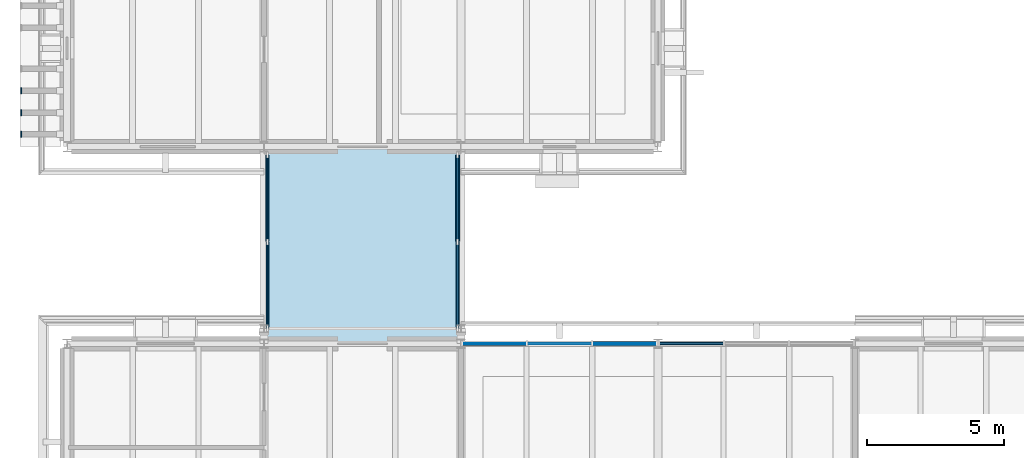
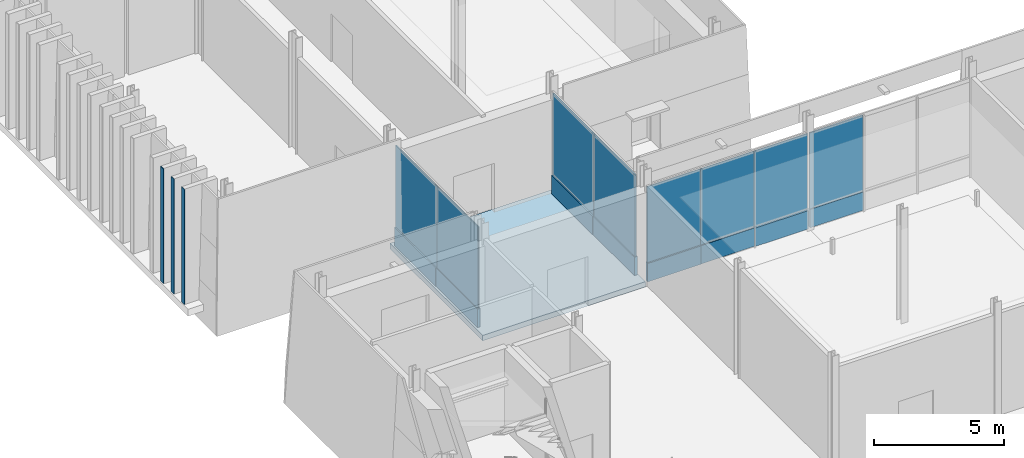
# One storey, part 46 of 120: 19 plates, 1 slab, 4 elements without a shape of their own.
"""IFC4 building model written with IfcOpenShell, lengths in metres."""

from ifc_helpers import new_model, si_unit, direction, frame, origin, origin_2d, place, context, subcontext, project, spatial, polyline, rectangle, outline, extrude, material, layer, layer_set, type_object, element, aggregate, save


model = new_model("IFC4")

# Units and contexts
model_context = context("Model", 3, precision=1e-05, world=origin(), true_north=direction((0.0, 1.0)))
body_context = subcontext(model_context, "Body", "Model", "MODEL_VIEW")
ifc_project = project(units=[si_unit("LENGTHUNIT", "METRE"), si_unit("AREAUNIT", "SQUARE_METRE"), si_unit("VOLUMEUNIT", "CUBIC_METRE"), si_unit("PLANEANGLEUNIT", "RADIAN"), si_unit("MASSUNIT", "GRAM", prefix="KILO")], contexts=[model_context])

# Site, building, storey
site_placement = place(None, origin())
site = spatial("IfcSite", under=ifc_project, at=site_placement, CompositionType="ELEMENT")
building_placement = place(site_placement, origin())
building = spatial("IfcBuilding", under=site, at=building_placement, Name="Narikvali Park Central Library", CompositionType="ELEMENT")
storey_placement = place(building_placement, origin())
storey = spatial("IfcBuildingStorey", under=building, at=storey_placement, Name="L00", CompositionType="ELEMENT", Elevation=0.0)

# Slab
ifc_material_1 = material(Name="Concrete C40/50", Category="concrete")
ifc_layer_1 = layer(ifc_material_1, 0.25, Name="Concrete C40/50")
ifc_layer_set_1 = layer_set([ifc_layer_1], Name="Concrete C40/50")
slab_type = type_object("IfcSlabType", Name="Bridge Sliding Deck Slab 250", PredefinedType="FLOOR", material=ifc_layer_set_1)
slab_placement = place(storey_placement, frame((0.0, 0.0, -0.25)))
element("IfcSlab", 1, at=slab_placement, inside=storey, type_object=slab_type, Name="BRG-5 L00 Covered Bridge Deck", PredefinedType="FLOOR", context=body_context, shape_type="SweptSolid", body=[
    extrude(outline(polyline([(7.199951171875, 21.639892578125), (14.39990234375, 21.639892578125), (14.39990234375, 28.760009765625), (7.199951171875, 28.760009765625), (7.199951171875, 21.639892578125)])), origin(), (0.0, 0.0, 1.0), 0.25),
])

# Curtain wall, plate
ifc_material_2 = material(Name="Anodised Bronze Aluminium", Category="aluminium")
ifc_layer_2 = layer(ifc_material_2, 0.219970703125, Name="Anodised Bronze Aluminium")
ifc_layer_set_2 = layer_set([ifc_layer_2], Name="Anodised Bronze Aluminium")
curtain_wall_type_1 = type_object("IfcCurtainWallType", Name="Atrium Tall Curtain Wall System", PredefinedType="NOTDEFINED", material=ifc_layer_set_2)
curtain_wall_1_placement = place(storey_placement, origin())
curtain_wall_1 = element("IfcCurtainWall", 2, at=curtain_wall_1_placement, inside=storey, type_object=curtain_wall_type_1, Name="Atrium Tall Curtain Wall System CW-V2-L00-N-04", PredefinedType="NOTDEFINED")
ifc_material_3 = material(Name="Anodised Bronze Acoustic Spandrel Cassette")
ifc_layer_3 = layer(ifc_material_3, 0.1650390625, Name="Anodised Bronze Acoustic Spandrel Cassette")
ifc_layer_set_3 = layer_set([ifc_layer_3], Name="Anodised Bronze Acoustic Spandrel Cassette")
plate_type_1 = type_object("IfcPlateType", Name="Curtain Wall Acoustic Plenum Louvre Cassette 165", PredefinedType="CURTAIN_PANEL", material=ifc_layer_set_3)
plate_1_placement = place(storey_placement, frame((20.374755859375, 21.60009765625, 0.03515625), z_axis=(0.0, 0.0, 1.0), x_axis=(-1.0, 0.0, 0.0)))
plate_1 = element("IfcPlate", 3, at=plate_1_placement, type_object=plate_type_1, Name="CW-V2-L00-N-04 Panel 00-0", PredefinedType="CURTAIN_PANEL", context=body_context, shape_type="SweptSolid", body=[
    extrude(rectangle(XDim=2.36474609375, YDim=0.1650390625, at=origin_2d()), origin(), (0.0, 0.0, 1.0), 0.860107421875),
])

ifc_layer_4 = layer(ifc_material_2, 0.219970703125, Name="Anodised Bronze Aluminium")
ifc_layer_set_4 = layer_set([ifc_layer_4], Name="Anodised Bronze Aluminium")
curtain_wall_type_2 = type_object("IfcCurtainWallType", Name="Bridge Covered Passage Glazing System", PredefinedType="NOTDEFINED", material=ifc_layer_set_4)
curtain_wall_2_placement = place(storey_placement, origin())
curtain_wall_2 = element("IfcCurtainWall", 4, at=curtain_wall_2_placement, inside=storey, type_object=curtain_wall_type_2, Name="Bridge Covered Passage Glazing System CW-BRG-5-L00-E1", PredefinedType="NOTDEFINED")
plate_2_placement = place(storey_placement, frame((14.280029296875, 26.91259765625, 0.03515625), z_axis=(0.0, 0.0, 1.0), x_axis=(0.0, 1.0, 0.0)))
plate_2 = element("IfcPlate", 5, at=plate_2_placement, type_object=plate_type_1, Name="CW-BRG-5-L00-E1 Panel 01-0", PredefinedType="CURTAIN_PANEL", context=body_context, shape_type="SweptSolid", body=[
    extrude(rectangle(XDim=3.1650390625, YDim=0.1650390625, at=origin_2d()), origin(), (0.0, 0.0, 1.0), 0.860107421875),
])

curtain_wall_3_placement = place(storey_placement, origin())
curtain_wall_3 = element("IfcCurtainWall", 6, at=curtain_wall_3_placement, inside=storey, type_object=curtain_wall_type_1, Name="Atrium Tall Curtain Wall System CW-V2-L00-N-03", PredefinedType="NOTDEFINED")
ifc_material_4 = material(Name="Heavy Acoustic Laminated Clerestory Glazing", Category="glass")
ifc_layer_5 = layer(ifc_material_4, 0.06396484375, Name="Heavy Acoustic Laminated Clerestory Glazing")
ifc_layer_set_5 = layer_set([ifc_layer_5], Name="Heavy Acoustic Laminated Clerestory Glazing")
plate_type_2 = type_object("IfcPlateType", Name="Curtain Wall Clerestory Laminated Acoustic Glass 64", PredefinedType="CURTAIN_PANEL", material=ifc_layer_set_5)
plate_3_placement = place(storey_placement, frame((22.8251953125, 21.60009765625, 0.905029296875), z_axis=(0.0, 0.0, 1.0), x_axis=(-1.0, 0.0, 0.0)))
plate_3 = element("IfcPlate", 7, at=plate_3_placement, type_object=plate_type_2, Name="CW-V2-L00-N-03 Panel 02-1", PredefinedType="CURTAIN_PANEL", context=body_context, shape_type="SweptSolid", body=[
    extrude(rectangle(XDim=2.36474609375, YDim=0.06396484375, at=origin_2d()), origin(), (0.0, 0.0, 1.0), 3.56005859375),
])

# Plate
plate_4_placement = place(storey_placement, frame((14.280029296875, 23.737548828125, 0.905029296875), z_axis=(0.0, 0.0, 1.0), x_axis=(0.0, 1.0, 0.0)))
plate_4 = element("IfcPlate", 8, at=plate_4_placement, type_object=plate_type_2, Name="CW-BRG-5-L00-E1 Panel 00-1", PredefinedType="CURTAIN_PANEL", context=body_context, shape_type="SweptSolid", body=[
    extrude(rectangle(XDim=3.1650390625, YDim=0.06396484375, at=origin_2d()), origin(), (0.0, 0.0, 1.0), 3.81005859375),
])

plate_5_placement = place(storey_placement, frame((14.280029296875, 26.91259765625, 0.905029296875), z_axis=(0.0, 0.0, 1.0), x_axis=(0.0, 1.0, 0.0)))
plate_5 = element("IfcPlate", 9, at=plate_5_placement, type_object=plate_type_2, Name="CW-BRG-5-L00-E1 Panel 01-1", PredefinedType="CURTAIN_PANEL", context=body_context, shape_type="SweptSolid", body=[
    extrude(rectangle(XDim=3.1650390625, YDim=0.06396484375, at=origin_2d()), origin(), (0.0, 0.0, 1.0), 3.81005859375),
])

ifc_material_5 = material(Name="Double Low-E Tempered Vision Glazing", Category="glass")
ifc_layer_6 = layer(ifc_material_5, 0.035888671875, Name="Double Low-E Tempered Vision Glazing")
ifc_layer_set_6 = layer_set([ifc_layer_6], Name="Double Low-E Tempered Vision Glazing")
plate_type_3 = type_object("IfcPlateType", Name="Curtain Wall Double Low-E Vision Glazing 36", PredefinedType="CURTAIN_PANEL", material=ifc_layer_set_6)
plate_6_placement = place(storey_placement, frame((20.374755859375, 21.60009765625, 0.905029296875), z_axis=(0.0, 0.0, 1.0), x_axis=(-1.0, 0.0, 0.0)))
plate_6 = element("IfcPlate", 10, at=plate_6_placement, type_object=plate_type_3, Name="CW-V2-L00-N-04 Panel 00-1", PredefinedType="CURTAIN_PANEL", context=body_context, shape_type="SweptSolid", body=[
    extrude(rectangle(XDim=2.36474609375, YDim=0.035888671875, at=origin_2d()), origin(), (0.0, 0.0, 1.0), 3.56005859375),
])

plate_7_placement = place(storey_placement, frame((18.0, 21.60009765625, 0.905029296875), z_axis=(0.0, 0.0, 1.0), x_axis=(-1.0, 0.0, 0.0)))
plate_7 = element("IfcPlate", 11, at=plate_7_placement, type_object=plate_type_3, Name="CW-V2-L00-N-04 Panel 01-1", PredefinedType="CURTAIN_PANEL", context=body_context, shape_type="SweptSolid", body=[
    extrude(rectangle(XDim=2.36474609375, YDim=0.035888671875, at=origin_2d()), origin(), (0.0, 0.0, 1.0), 3.56005859375),
])

plate_8_placement = place(storey_placement, frame((15.625244140625, 21.60009765625, 0.905029296875), z_axis=(0.0, 0.0, 1.0), x_axis=(-1.0, 0.0, 0.0)))
plate_8 = element("IfcPlate", 12, at=plate_8_placement, type_object=plate_type_3, Name="CW-V2-L00-N-04 Panel 02-1", PredefinedType="CURTAIN_PANEL", context=body_context, shape_type="SweptSolid", body=[
    extrude(rectangle(XDim=2.36474609375, YDim=0.035888671875, at=origin_2d()), origin(), (0.0, 0.0, 1.0), 3.56005859375),
])

ifc_material_6 = material(Name="Anodised Bronze Insulated Spandrel Cassette")
ifc_layer_7 = layer(ifc_material_6, 0.110107421875, Name="Anodised Bronze Insulated Spandrel Cassette")
ifc_layer_set_7 = layer_set([ifc_layer_7], Name="Anodised Bronze Insulated Spandrel Cassette")
plate_type_4 = type_object("IfcPlateType", Name="Curtain Wall Insulated Bronze Spandrel Cassette 110", PredefinedType="CURTAIN_PANEL", material=ifc_layer_set_7)
plate_9_placement = place(storey_placement, frame((22.8251953125, 21.60009765625, 0.03515625), z_axis=(0.0, 0.0, 1.0), x_axis=(-1.0, 0.0, 0.0)))
plate_9 = element("IfcPlate", 13, at=plate_9_placement, type_object=plate_type_4, Name="CW-V2-L00-N-03 Panel 02-0", PredefinedType="CURTAIN_PANEL", context=body_context, shape_type="SweptSolid", body=[
    extrude(rectangle(XDim=2.36474609375, YDim=0.110107421875, at=origin_2d()), origin(), (0.0, 0.0, 1.0), 0.860107421875),
])

aggregate(curtain_wall_3, [plate_9, plate_3])

plate_10_placement = place(storey_placement, frame((18.0, 21.60009765625, 0.03515625), z_axis=(0.0, 0.0, 1.0), x_axis=(-1.0, 0.0, 0.0)))
plate_10 = element("IfcPlate", 14, at=plate_10_placement, type_object=plate_type_4, Name="CW-V2-L00-N-04 Panel 01-0", PredefinedType="CURTAIN_PANEL", context=body_context, shape_type="SweptSolid", body=[
    extrude(rectangle(XDim=2.36474609375, YDim=0.110107421875, at=origin_2d()), origin(), (0.0, 0.0, 1.0), 0.860107421875),
])

# Curtain wall, plate
curtain_wall_4_placement = place(storey_placement, origin())
curtain_wall_4 = element("IfcCurtainWall", 15, at=curtain_wall_4_placement, inside=storey, type_object=curtain_wall_type_2, Name="Bridge Covered Passage Glazing System CW-BRG-5-L00-W1", PredefinedType="NOTDEFINED")
plate_11_placement = place(storey_placement, frame((7.320068359375, 23.737548828125, 0.03515625), z_axis=(0.0, 0.0, 1.0), x_axis=(0.0, 1.0, 0.0)))
plate_11 = element("IfcPlate", 16, at=plate_11_placement, type_object=plate_type_4, Name="CW-BRG-5-L00-W1 Panel 00-0", PredefinedType="CURTAIN_PANEL", context=body_context, shape_type="SweptSolid", body=[
    extrude(rectangle(XDim=3.1650390625, YDim=0.110107421875, at=origin_2d()), origin(), (0.0, 0.0, 1.0), 0.860107421875),
])

# Plate
ifc_material_7 = material(Name="Mineral-Wool Shadow-Box Spandrel Assembly")
ifc_layer_8 = layer(ifc_material_7, 0.139892578125, Name="Mineral-Wool Shadow-Box Spandrel Assembly")
ifc_layer_set_8 = layer_set([ifc_layer_8], Name="Mineral-Wool Shadow-Box Spandrel Assembly")
plate_type_5 = type_object("IfcPlateType", Name="Curtain Wall Shadow-Box Mineral Spandrel Panel 140", PredefinedType="CURTAIN_PANEL", material=ifc_layer_set_8)
plate_12_placement = place(storey_placement, frame((15.625244140625, 21.60009765625, 0.03515625), z_axis=(0.0, 0.0, 1.0), x_axis=(-1.0, 0.0, 0.0)))
plate_12 = element("IfcPlate", 17, at=plate_12_placement, type_object=plate_type_5, Name="CW-V2-L00-N-04 Panel 02-0", PredefinedType="CURTAIN_PANEL", context=body_context, shape_type="SweptSolid", body=[
    extrude(rectangle(XDim=2.36474609375, YDim=0.139892578125, at=origin_2d()), origin(), (0.0, 0.0, 1.0), 0.860107421875),
])

aggregate(curtain_wall_1, [plate_1, plate_6, plate_10, plate_7, plate_12, plate_8])

plate_13_placement = place(storey_placement, frame((7.320068359375, 26.91259765625, 0.03515625), z_axis=(0.0, 0.0, 1.0), x_axis=(0.0, 1.0, 0.0)))
plate_13 = element("IfcPlate", 18, at=plate_13_placement, type_object=plate_type_5, Name="CW-BRG-5-L00-W1 Panel 01-0", PredefinedType="CURTAIN_PANEL", context=body_context, shape_type="SweptSolid", body=[
    extrude(rectangle(XDim=3.1650390625, YDim=0.139892578125, at=origin_2d()), origin(), (0.0, 0.0, 1.0), 0.860107421875),
])

plate_14_placement = place(storey_placement, frame((14.280029296875, 23.737548828125, 0.03515625), z_axis=(0.0, 0.0, 1.0), x_axis=(0.0, 1.0, 0.0)))
plate_14 = element("IfcPlate", 19, at=plate_14_placement, type_object=plate_type_5, Name="CW-BRG-5-L00-E1 Panel 00-0", PredefinedType="CURTAIN_PANEL", context=body_context, shape_type="SweptSolid", body=[
    extrude(rectangle(XDim=3.1650390625, YDim=0.139892578125, at=origin_2d()), origin(), (0.0, 0.0, 1.0), 0.860107421875),
])

aggregate(curtain_wall_2, [plate_14, plate_4, plate_2, plate_5])

ifc_material_8 = material(Name="Triple Low-E Acoustic Laminated Glazing", Category="glass")
ifc_layer_9 = layer(ifc_material_8, 0.048095703125, Name="Triple Low-E Acoustic Laminated Glazing")
ifc_layer_set_9 = layer_set([ifc_layer_9], Name="Triple Low-E Acoustic Laminated Glazing")
plate_type_6 = type_object("IfcPlateType", Name="Curtain Wall Triple Solar-Acoustic Glazing 48", PredefinedType="CURTAIN_PANEL", material=ifc_layer_set_9)
plate_15_placement = place(storey_placement, frame((7.320068359375, 23.737548828125, 0.905029296875), z_axis=(0.0, 0.0, 1.0), x_axis=(0.0, 1.0, 0.0)))
plate_15 = element("IfcPlate", 20, at=plate_15_placement, type_object=plate_type_6, Name="CW-BRG-5-L00-W1 Panel 00-1", PredefinedType="CURTAIN_PANEL", context=body_context, shape_type="SweptSolid", body=[
    extrude(rectangle(XDim=3.1650390625, YDim=0.048095703125, at=origin_2d()), origin(), (0.0, 0.0, 1.0), 3.81005859375),
])

plate_16_placement = place(storey_placement, frame((7.320068359375, 26.91259765625, 0.905029296875), z_axis=(0.0, 0.0, 1.0), x_axis=(0.0, 1.0, 0.0)))
plate_16 = element("IfcPlate", 21, at=plate_16_placement, type_object=plate_type_6, Name="CW-BRG-5-L00-W1 Panel 01-1", PredefinedType="CURTAIN_PANEL", context=body_context, shape_type="SweptSolid", body=[
    extrude(rectangle(XDim=3.1650390625, YDim=0.048095703125, at=origin_2d()), origin(), (0.0, 0.0, 1.0), 3.81005859375),
])

aggregate(curtain_wall_4, [plate_11, plate_15, plate_13, plate_16])

# Plates
ifc_layer_10 = layer(ifc_material_2, 0.028076171875, Name="Anodised Bronze Aluminium")
ifc_layer_set_10 = layer_set([ifc_layer_10], Name="Anodised Bronze Aluminium")
plate_type_7 = type_object("IfcPlateType", Name="Vertical Brick Fin Bronze Bullnose Cap 28", PredefinedType="SHEET", material=ifc_layer_set_10)
for number, where, z_axis, x_axis, name in (
    (22, (-1.672119140625, 29.25, 0.010009765625), (0.0, 0.0, 1.0), (1.0, 0.0, 0.0), "West Stacks Fin Bullnose Trim 001"),
    (23, (-1.672119140625, 30.050048828125, 0.010009765625), (0.0, 0.0, 1.0), (1.0, 0.0, 0.0), "West Stacks Fin Bullnose Trim 005"),
    (24, (-1.672119140625, 30.85009765625, 0.010009765625), (0.0, 0.0, 1.0), (1.0, 0.0, 0.0), "West Stacks Fin Bullnose Trim 009"),
):
    element("IfcPlate", number, at=place(storey_placement, frame(where, z_axis=z_axis, x_axis=x_axis)), inside=storey, type_object=plate_type_7, Name=name, PredefinedType="SHEET", context=body_context, shape_type="SweptSolid", body=[
        extrude(rectangle(XDim=0.028076171875, YDim=0.219970703125, at=origin_2d()), origin(), (0.0, 0.0, 1.0), 5.3798828125),
    ])

save(model, "model.ifc")
